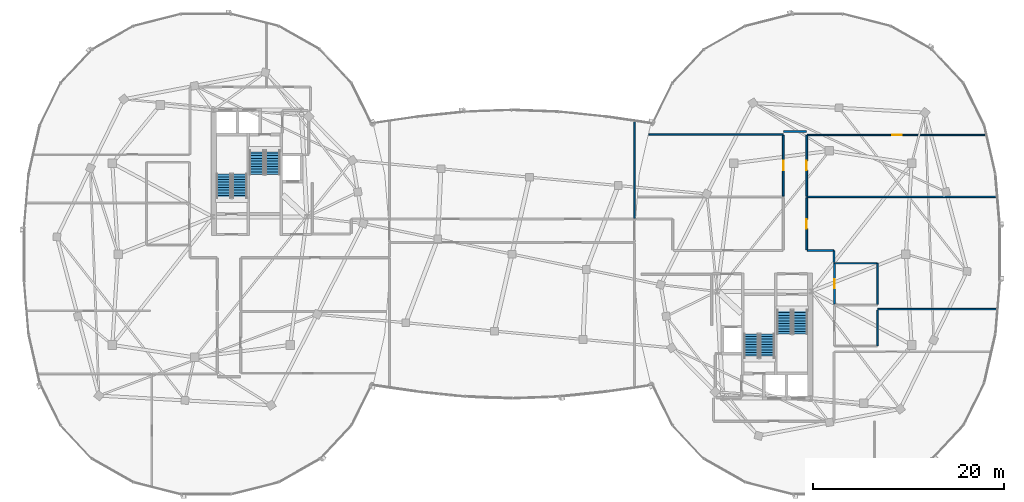
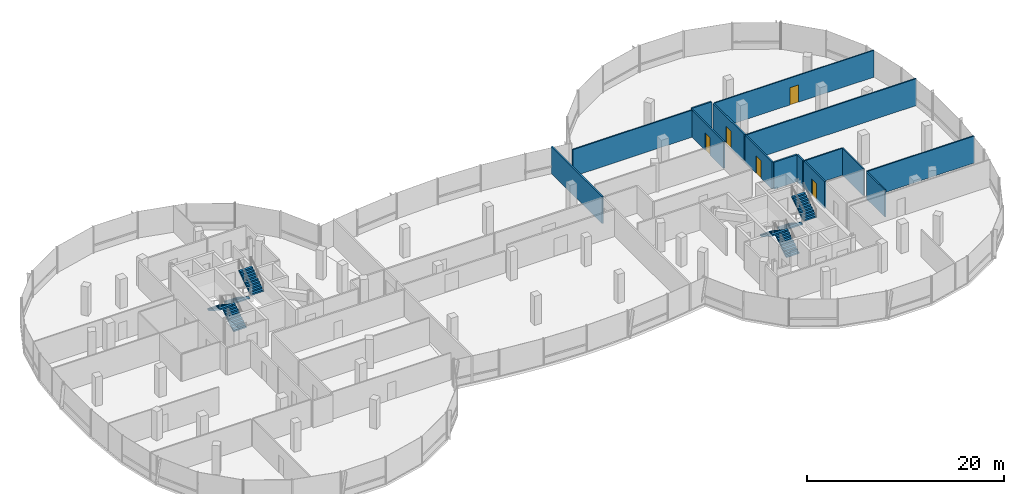
# One storey, part 17 of 25: 15 walls, 8 stair flights, 5 doors, 5 openings, 4 elements without a shape of their own.
"""IFC4 building model written with IfcOpenShell, lengths in metres."""

from ifc_helpers import new_model, si_unit, direction, frame, frame_2d, origin, place, context, subcontext, project, spatial, polyline, rectangle, outline, extrude, material, layer, layer_set, type_object, element, fill, aggregate, save


model = new_model("IFC4")

# Units and contexts
model_context = context("Model", 3, precision=1e-05, world=origin(), true_north=direction((0.0, 1.0)))
body_context = subcontext(model_context, "Body", "Model", "MODEL_VIEW")
ifc_project = project(units=[si_unit("LENGTHUNIT", "METRE"), si_unit("AREAUNIT", "SQUARE_METRE"), si_unit("VOLUMEUNIT", "CUBIC_METRE"), si_unit("PLANEANGLEUNIT", "RADIAN"), si_unit("MASSUNIT", "GRAM", prefix="KILO"), si_unit("THERMODYNAMICTEMPERATUREUNIT", "KELVIN"), si_unit("POWERUNIT", "WATT")], contexts=[model_context])

# Site, building, storey
site_placement = place(None, origin())
site = spatial("IfcSite", under=ifc_project, at=site_placement, CompositionType="ELEMENT")
building_placement = place(site_placement, origin())
building = spatial("IfcBuilding", under=site, at=building_placement, Name="Cundina Bronze Exchange", CompositionType="ELEMENT")
storey_placement = place(building_placement, frame((0.0, 0.0, 250.39990234375)))
storey = spatial("IfcBuildingStorey", under=building, at=storey_placement, Name="L66", CompositionType="ELEMENT", Elevation=250.39990234375)

# Wall, opening, door
ifc_material_1 = material(Name="Gypsum Fireboard Partition EI120")
ifc_layer_1 = layer(ifc_material_1, 0.179931640625, Name="Gypsum Fireboard Partition EI120")
ifc_layer_set_1 = layer_set([ifc_layer_1], Name="Gypsum Fireboard Partition EI120")
wall_type_1 = type_object("IfcWallType", Name="WL-COR-180", PredefinedType="PARTITIONING", material=ifc_layer_set_1)
wall_1_placement = place(storey_placement, frame((33.719970703125, -5.22998046875, 0.0), z_axis=(0.0, 0.0, 1.0), x_axis=(0.0, 1.0, 0.0)))
wall_1 = element("IfcWall", 1, at=wall_1_placement, inside=storey, type_object=wall_type_1, Name="L66 Interior Partition 045", PredefinedType="PARTITIONING", context=body_context, shape_type="SweptSolid", body=[
    extrude(rectangle(XDim=4.260009765625, YDim=0.179931640625, at=frame_2d((2.1298828125, 0.0))), origin(), (0.0, 0.0, 1.0), 3.340087890625),
])
opening_1_placement = place(wall_1_placement, frame((1.655029296875, 0.0, 0.0)))
opening_1 = element("IfcOpeningElement", 2, at=opening_1_placement, cuts=wall_1, Name="Opening DW-01", PredefinedType="OPENING", context=body_context, shape_type="SweptSolid", body=[
    extrude(rectangle(XDim=0.949951171875, YDim=2.10009765625, at=frame_2d((0.47509765625, 1.050048828125))), frame((0.0, 0.099853515625, 0.0), z_axis=(0.0, -1.0, 0.0), x_axis=(1.0, 0.0, 0.0)), (0.0, 0.0, 1.0), 0.199951171875),
])
ifc_material_2 = material(Name="Solid Andean Oak Timber Grade A", Category="wood")
door_type_1 = type_object("IfcDoorType", Name="DR-WC-950", OperationType="NOTDEFINED", PredefinedType="DOOR", material=ifc_material_2)
door_1_placement = place(opening_1_placement, origin())
door_1 = element("IfcDoor", 3, at=door_1_placement, inside=storey, type_object=door_type_1, Name="L66 Interior Door 045", OperationType="SINGLE_SWING_RIGHT", OverallHeight=2.10009765625, OverallWidth=0.949951171875, PredefinedType="DOOR", context=body_context, shape_type="SweptSolid", body=[
    extrude(rectangle(XDim=0.949951171875, YDim=2.10009765625, at=frame_2d((0.47509765625, 1.050048828125))), frame((0.0, 0.02490234375, 0.0), z_axis=(0.0, -1.0, 0.0), x_axis=(1.0, 0.0, 0.0)), (0.0, 0.0, 1.0), 0.050048828125),
])
fill(opening_1, door_1)

wall_2_placement = place(storey_placement, frame((30.820068359375, 0.449951171875, 0.0), z_axis=(0.0, 0.0, 1.0), x_axis=(0.0, 1.0, 0.0)))
wall_2 = element("IfcWall", 4, at=wall_2_placement, inside=storey, type_object=wall_type_1, Name="L66 Interior Partition 056", PredefinedType="PARTITIONING", context=body_context, shape_type="SweptSolid", body=[
    extrude(rectangle(XDim=5.43994140625, YDim=0.179931640625, at=frame_2d((2.719970703125, 0.0))), origin(), (0.0, 0.0, 1.0), 3.340087890625),
])
opening_2_placement = place(wall_2_placement, frame((2.219970703125, 0.0, 0.0)))
opening_2 = element("IfcOpeningElement", 5, at=opening_2_placement, cuts=wall_2, Name="Opening DO-01", PredefinedType="OPENING", context=body_context, shape_type="SweptSolid", body=[
    extrude(rectangle(XDim=1.0, YDim=2.14990234375, at=frame_2d((0.5, 1.074951171875))), frame((0.0, 0.099853515625, 0.0), z_axis=(0.0, -1.0, 0.0), x_axis=(1.0, 0.0, 0.0)), (0.0, 0.0, 1.0), 0.199951171875),
])
door_type_2 = type_object("IfcDoorType", Name="DR-OFF-1000", OperationType="NOTDEFINED", PredefinedType="DOOR", material=ifc_material_2)
door_2_placement = place(opening_2_placement, origin())
door_2 = element("IfcDoor", 6, at=door_2_placement, inside=storey, type_object=door_type_2, Name="L66 Interior Door 056", OperationType="SINGLE_SWING_LEFT", OverallHeight=2.14990234375, OverallWidth=1.0, PredefinedType="DOOR", context=body_context, shape_type="SweptSolid", body=[
    extrude(rectangle(XDim=1.0, YDim=2.14990234375, at=frame_2d((0.5, 1.074951171875))), frame((0.0, 0.02490234375, 0.0), z_axis=(0.0, -1.0, 0.0), x_axis=(1.0, 0.0, 0.0)), (0.0, 0.0, 1.0), 0.050048828125),
])
fill(opening_2, door_2)

# Walls
wall_3_placement = place(storey_placement, frame((33.62841796875, 0.3701171875, 0.0), z_axis=(0.0, 0.0, 1.0), x_axis=(-1.0, 0.0, 0.0)))
element("IfcWall", 7, at=wall_3_placement, inside=storey, type_object=wall_type_1, Name="L66 Interior Partition 057", PredefinedType="PARTITIONING", context=body_context, shape_type="SweptSolid", body=[
    extrude(rectangle(XDim=2.728515625, YDim=0.179931640625, at=frame_2d((1.3642578125, 0.0))), origin(), (0.0, 0.0, 1.0), 3.340087890625),
])
wall_4_placement = place(storey_placement, frame((33.669921875, -0.858642578125, 0.0), z_axis=(0.0, 0.0, 1.0), x_axis=(0.0, 1.0, 0.0)))
element("IfcWall", 8, at=wall_4_placement, inside=storey, type_object=wall_type_1, Name="L66 Interior Partition 058", PredefinedType="PARTITIONING", context=body_context, shape_type="SweptSolid", body=[
    extrude(rectangle(XDim=1.187255859375, YDim=0.179931640625, at=frame_2d((0.59375, 0.0))), origin(), (0.0, 0.0, 1.0), 3.340087890625),
])

# Wall, opening, door
wall_5_placement = place(storey_placement, frame((28.3798828125, 12.429931640625, 0.0), z_axis=(0.0, 0.0, 1.0), x_axis=(0.0, -1.0, 0.0)))
wall_5 = element("IfcWall", 9, at=wall_5_placement, inside=storey, type_object=wall_type_1, Name="L66 Interior Partition 063", PredefinedType="PARTITIONING", context=body_context, shape_type="SweptSolid", body=[
    extrude(rectangle(XDim=6.35986328125, YDim=0.179931640625, at=frame_2d((3.179931640625, 0.0))), origin(), (0.0, 0.0, 1.0), 3.340087890625),
])
opening_3_placement = place(wall_5_placement, frame((2.679931640625, 0.0, 0.0)))
opening_3 = element("IfcOpeningElement", 10, at=opening_3_placement, cuts=wall_5, Name="Opening DO-01", PredefinedType="OPENING", context=body_context, shape_type="SweptSolid", body=[
    extrude(rectangle(XDim=1.0, YDim=2.14990234375, at=frame_2d((0.5, 1.074951171875))), frame((0.0, 0.099853515625, 0.0), z_axis=(0.0, -1.0, 0.0), x_axis=(1.0, 0.0, 0.0)), (0.0, 0.0, 1.0), 0.199951171875),
])
door_3_placement = place(opening_3_placement, origin())
door_3 = element("IfcDoor", 11, at=door_3_placement, inside=storey, type_object=door_type_2, Name="L66 Interior Door 063", OperationType="SINGLE_SWING_RIGHT", OverallHeight=2.14990234375, OverallWidth=1.0, PredefinedType="DOOR", context=body_context, shape_type="SweptSolid", body=[
    extrude(rectangle(XDim=1.0, YDim=2.14990234375, at=frame_2d((0.5, 1.074951171875))), frame((0.0, 0.02490234375, 0.0), z_axis=(0.0, -1.0, 0.0), x_axis=(1.0, 0.0, 0.0)), (0.0, 0.0, 1.0), 0.050048828125),
])
fill(opening_3, door_3)

wall_6_placement = place(storey_placement, frame((30.820068359375, 6.070068359375, 0.0), z_axis=(0.0, 0.0, 1.0), x_axis=(0.0, 1.0, 0.0)))
wall_6 = element("IfcWall", 12, at=wall_6_placement, inside=storey, type_object=wall_type_1, Name="L66 Interior Partition 064", PredefinedType="PARTITIONING", context=body_context, shape_type="SweptSolid", body=[
    extrude(rectangle(XDim=6.35986328125, YDim=0.179931640625, at=frame_2d((3.179931640625, 0.0))), origin(), (0.0, 0.0, 1.0), 3.340087890625),
])
opening_4_placement = place(wall_6_placement, frame((2.679931640625, 0.0, 0.0)))
opening_4 = element("IfcOpeningElement", 13, at=opening_4_placement, cuts=wall_6, Name="Opening DO-01", PredefinedType="OPENING", context=body_context, shape_type="SweptSolid", body=[
    extrude(rectangle(XDim=1.0, YDim=2.14990234375, at=frame_2d((0.5, 1.074951171875))), frame((0.0, 0.099853515625, 0.0), z_axis=(0.0, -1.0, 0.0), x_axis=(1.0, 0.0, 0.0)), (0.0, 0.0, 1.0), 0.199951171875),
])
door_4_placement = place(opening_4_placement, origin())
door_4 = element("IfcDoor", 14, at=door_4_placement, inside=storey, type_object=door_type_2, Name="L66 Interior Door 064", OperationType="SINGLE_SWING_LEFT", OverallHeight=2.14990234375, OverallWidth=1.0, PredefinedType="DOOR", context=body_context, shape_type="SweptSolid", body=[
    extrude(rectangle(XDim=1.0, YDim=2.14990234375, at=frame_2d((0.5, 1.074951171875))), frame((0.0, 0.02490234375, 0.0), z_axis=(0.0, -1.0, 0.0), x_axis=(1.0, 0.0, 0.0)), (0.0, 0.0, 1.0), 0.050048828125),
])
fill(opening_4, door_4)

# Walls
wall_7_placement = place(storey_placement, frame((30.778564453125, 12.820068359375, 0.0), z_axis=(0.0, 0.0, 1.0), x_axis=(-1.0, 0.0, 0.0)))
element("IfcWall", 15, at=wall_7_placement, inside=storey, type_object=wall_type_1, Name="L66 Interior Partition 065", PredefinedType="PARTITIONING", context=body_context, shape_type="SweptSolid", body=[
    extrude(rectangle(XDim=2.357177734375, YDim=0.179931640625, at=frame_2d((1.1787109375, 0.0))), origin(), (0.0, 0.0, 1.0), 3.340087890625),
])
wall_8_placement = place(storey_placement, frame((12.800048828125, 3.739990234375, 0.0), z_axis=(0.0, 0.0, 1.0), x_axis=(0.0, 1.0, 0.0)))
element("IfcWall", 16, at=wall_8_placement, inside=storey, type_object=wall_type_1, Name="L66 Interior Partition 077", PredefinedType="PARTITIONING", context=body_context, shape_type="SweptSolid", body=[
    extrude(rectangle(XDim=10.3037109375, YDim=0.179931640625, at=frame_2d((5.15185546875, 0.0))), origin(), (0.0, 0.0, 1.0), 3.340087890625),
])

# Wall, opening, door
ifc_material_3 = material(Name="Gypsum Acoustic Partition EI60")
ifc_layer_2 = layer(ifc_material_3, 0.125, Name="Gypsum Acoustic Partition EI60")
ifc_layer_set_2 = layer_set([ifc_layer_2], Name="Gypsum Acoustic Partition EI60")
wall_type_2 = type_object("IfcWallType", Name="WL-OFF-125", PredefinedType="PARTITIONING", material=ifc_layer_set_2)
wall_9_placement = place(storey_placement, frame((49.61865234375, 12.469970703125, 0.0), z_axis=(0.0, 0.0, 1.0), x_axis=(-1.0, 0.0, 0.0)))
wall_9 = element("IfcWall", 17, at=wall_9_placement, inside=storey, type_object=wall_type_2, Name="L66 Interior Partition 067", PredefinedType="PARTITIONING", context=body_context, shape_type="SweptSolid", body=[
    extrude(rectangle(XDim=18.71875, YDim=0.125, at=frame_2d((9.359375, 0.0))), origin(), (0.0, 0.0, 1.0), 3.340087890625),
])
opening_5_placement = place(wall_9_placement, frame((8.859375, 0.0, 0.0)))
opening_5 = element("IfcOpeningElement", 18, at=opening_5_placement, cuts=wall_9, Name="Opening DO-01", PredefinedType="OPENING", context=body_context, shape_type="SweptSolid", body=[
    extrude(rectangle(XDim=1.0, YDim=2.14990234375, at=frame_2d((0.5, 1.074951171875))), frame((0.0, 0.072509765625, 0.0), z_axis=(0.0, -1.0, 0.0), x_axis=(1.0, 0.0, 0.0)), (0.0, 0.0, 1.0), 0.14501953125),
])
door_5_placement = place(opening_5_placement, origin())
door_5 = element("IfcDoor", 19, at=door_5_placement, inside=storey, type_object=door_type_2, Name="L66 Interior Door 067", OperationType="SINGLE_SWING_RIGHT", OverallHeight=2.14990234375, OverallWidth=1.0, PredefinedType="DOOR", context=body_context, shape_type="SweptSolid", body=[
    extrude(rectangle(XDim=1.0, YDim=2.14990234375, at=frame_2d((0.5, 1.074951171875))), frame((0.0, 0.02490234375, 0.0), z_axis=(0.0, -1.0, 0.0), x_axis=(1.0, 0.0, 0.0)), (0.0, 0.0, 1.0), 0.050048828125),
])
fill(opening_5, door_5)

# Walls
ifc_layer_3 = layer(ifc_material_3, 0.14990234375, Name="Gypsum Acoustic Partition EI60")
ifc_layer_set_3 = layer_set([ifc_layer_3], Name="Gypsum Acoustic Partition EI60")
wall_type_3 = type_object("IfcWallType", Name="WL-TEN-150", PredefinedType="PARTITIONING", material=ifc_layer_set_3)
wall_10_placement = place(storey_placement, frame((30.85009765625, 5.97998046875, 0.0), z_axis=(0.0, 0.0, 1.0), x_axis=(1.0, 0.0, 0.0)))
element("IfcWall", 20, at=wall_10_placement, inside=storey, type_object=wall_type_3, Name="L66 Interior Partition 048", PredefinedType="PARTITIONING", context=body_context, shape_type="SweptSolid", body=[
    extrude(rectangle(XDim=19.985107421875, YDim=0.14990234375, at=frame_2d((9.99267578125, 0.0))), origin(), (0.0, 0.0, 1.0), 3.340087890625),
])
wall_11_placement = place(storey_placement, frame((14.314208984375, 12.52001953125, 0.0), z_axis=(0.0, 0.0, 1.0), x_axis=(1.0, 0.0, 0.0)))
element("IfcWall", 21, at=wall_11_placement, inside=storey, type_object=wall_type_3, Name="L66 Interior Partition 049", PredefinedType="PARTITIONING", context=body_context, shape_type="SweptSolid", body=[
    extrude(rectangle(XDim=14.035888671875, YDim=0.14990234375, at=frame_2d((7.01806640625, 0.0))), origin(), (0.0, 0.0, 1.0), 3.340087890625),
])
wall_12_placement = place(storey_placement, frame((38.27001953125, -5.760009765625, 0.0), z_axis=(0.0, 0.0, 1.0), x_axis=(1.0, 0.0, 0.0)))
element("IfcWall", 22, at=wall_12_placement, inside=storey, type_object=wall_type_3, Name="L66 Interior Partition 050", PredefinedType="PARTITIONING", context=body_context, shape_type="SweptSolid", body=[
    extrude(rectangle(XDim=12.583740234375, YDim=0.14990234375, at=frame_2d((6.2919921875, 0.0))), origin(), (0.0, 0.0, 1.0), 3.340087890625),
])
ifc_material_4 = material(Name="Moisture-Resistant Masonry Block Grade M15", Category="masonry")
ifc_layer_4 = layer(ifc_material_4, 0.139892578125, Name="Moisture-Resistant Masonry Block Grade M15", Category="masonry")
ifc_layer_set_4 = layer_set([ifc_layer_4], Name="Moisture-Resistant Masonry Block Grade M15")
wall_type_4 = type_object("IfcWallType", Name="WL-WET-140", PredefinedType="PARTITIONING", material=ifc_layer_set_4)
wall_13_placement = place(storey_placement, frame((38.239990234375, -9.590087890625, 0.0), z_axis=(0.0, 0.0, 1.0), x_axis=(0.0, 1.0, 0.0)))
element("IfcWall", 23, at=wall_13_placement, inside=storey, type_object=wall_type_4, Name="L66 Interior Partition 040", PredefinedType="PARTITIONING", context=body_context, shape_type="SweptSolid", body=[
    extrude(rectangle(XDim=3.7451171875, YDim=0.139892578125, at=frame_2d((1.87255859375, 0.0))), origin(), (0.0, 0.0, 1.0), 3.340087890625),
])
wall_14_placement = place(storey_placement, frame((38.239990234375, -5.2451171875, 0.0), z_axis=(0.0, 0.0, 1.0), x_axis=(0.0, 1.0, 0.0)))
element("IfcWall", 24, at=wall_14_placement, inside=storey, type_object=wall_type_4, Name="L66 Interior Partition 041", PredefinedType="PARTITIONING", context=body_context, shape_type="SweptSolid", body=[
    extrude(rectangle(XDim=4.275146484375, YDim=0.139892578125, at=frame_2d((2.1376953125, 0.0))), origin(), (0.0, 0.0, 1.0), 3.340087890625),
])
wall_15_placement = place(storey_placement, frame((33.739990234375, -0.949951171875, 0.0), z_axis=(0.0, 0.0, 1.0), x_axis=(1.0, 0.0, 0.0)))
element("IfcWall", 25, at=wall_15_placement, inside=storey, type_object=wall_type_4, Name="L66 Interior Partition 042", PredefinedType="PARTITIONING", context=body_context, shape_type="SweptSolid", body=[
    extrude(rectangle(XDim=4.47998046875, YDim=0.139892578125, at=frame_2d((2.239990234375, 0.0))), origin(), (0.0, 0.0, 1.0), 3.340087890625),
])

# Stair, stair flights
ifc_material_5 = material(Name="Concrete C40/50", Category="concrete")
stair_type = type_object("IfcStairType", Name="STR-OFF-360", PredefinedType="HALF_TURN_STAIR", material=ifc_material_5)
stair_1_placement = place(storey_placement, origin())
stair_1 = element("IfcStair", 26, at=stair_1_placement, inside=storey, type_object=stair_type, Name="L66 Smokeproof Exit Stair W1", PredefinedType="HALF_TURN_STAIR")
stair_flight_type = type_object("IfcStairFlightType", Name="FLG-OFF-180", PredefinedType="STRAIGHT", material=ifc_material_5)
stair_flight_1_placement = place(storey_placement, frame((-28.489990234375, 5.85009765625, 0.0), z_axis=(0.0, 0.0, 1.0), x_axis=(0.0, 1.0, 0.0)))
stair_flight_1 = element("IfcStairFlight", 27, at=stair_flight_1_placement, type_object=stair_flight_type, Name="ST-W1 flight 1", NumberOfRisers=10, NumberOfTreads=9, PredefinedType="STRAIGHT", RiserHeight=0.18, TreadLength=0.28, context=body_context, shape_type="SweptSolid", body=[
    extrude(outline(polyline([(0.0, 0.0), (0.0, 0.179931640625), (0.280029296875, 0.179931640625), (0.280029296875, 0.360107421875), (0.56005859375, 0.360107421875), (0.56005859375, 0.5400390625), (0.840087890625, 0.5400390625), (0.840087890625, 0.719970703125), (1.1201171875, 0.719970703125), (1.1201171875, 0.89990234375), (1.39990234375, 0.89990234375), (1.39990234375, 1.080078125), (1.679931640625, 1.080078125), (1.679931640625, 1.260009765625), (1.9599609375, 1.260009765625), (1.9599609375, 1.43994140625), (2.239990234375, 1.43994140625), (2.239990234375, 1.6201171875), (2.52001953125, 1.6201171875), (2.52001953125, 1.800048828125), (2.52001953125, 1.44189453125), (0.277099609375, 0.0), (0.0, 0.0)])), frame((0.0, 0.75, 0.0), z_axis=(0.0, -1.0, 0.0), x_axis=(1.0, 0.0, 0.0)), (0.0, 0.0, 1.0), 1.5),
])
stair_flight_2_placement = place(storey_placement, frame((-30.14990234375, 8.3701171875, 1.800048828125), z_axis=(0.0, 0.0, 1.0), x_axis=(0.0, -1.0, 0.0)))
stair_flight_2 = element("IfcStairFlight", 28, at=stair_flight_2_placement, type_object=stair_flight_type, Name="ST-W1 flight 2", NumberOfRisers=10, NumberOfTreads=9, PredefinedType="STRAIGHT", RiserHeight=0.18, TreadLength=0.28, context=body_context, shape_type="SweptSolid", body=[
    extrude(outline(polyline([(0.0, 0.0), (0.0, 0.179931640625), (0.280029296875, 0.179931640625), (0.280029296875, 0.360107421875), (0.56005859375, 0.360107421875), (0.56005859375, 0.5400390625), (0.840087890625, 0.5400390625), (0.840087890625, 0.719970703125), (1.1201171875, 0.719970703125), (1.1201171875, 0.89990234375), (1.39990234375, 0.89990234375), (1.39990234375, 1.080078125), (1.679931640625, 1.080078125), (1.679931640625, 1.260009765625), (1.9599609375, 1.260009765625), (1.9599609375, 1.43994140625), (2.239990234375, 1.43994140625), (2.239990234375, 1.6201171875), (2.52001953125, 1.6201171875), (2.52001953125, 1.800048828125), (2.52001953125, 1.44189453125), (0.277099609375, 0.0), (0.0, 0.0)])), frame((0.0, 0.75, 0.0), z_axis=(0.0, -1.0, 0.0), x_axis=(1.0, 0.0, 0.0)), (0.0, 0.0, 1.0), 1.5),
])
aggregate(stair_1, [stair_flight_1, stair_flight_2])

stair_2_placement = place(storey_placement, origin())
stair_2 = element("IfcStair", 29, at=stair_2_placement, inside=storey, type_object=stair_type, Name="L66 Smokeproof Exit Stair W2", PredefinedType="HALF_TURN_STAIR")
stair_flight_3_placement = place(storey_placement, frame((-26.68994140625, 10.85009765625, 0.0), z_axis=(0.0, 0.0, 1.0), x_axis=(0.0, -1.0, 0.0)))
stair_flight_3 = element("IfcStairFlight", 30, at=stair_flight_3_placement, type_object=stair_flight_type, Name="ST-W2 flight 1", NumberOfRisers=10, NumberOfTreads=9, PredefinedType="STRAIGHT", RiserHeight=0.18, TreadLength=0.28, context=body_context, shape_type="SweptSolid", body=[
    extrude(outline(polyline([(0.0, 0.0), (0.0, 0.179931640625), (0.280029296875, 0.179931640625), (0.280029296875, 0.360107421875), (0.56005859375, 0.360107421875), (0.56005859375, 0.5400390625), (0.840087890625, 0.5400390625), (0.840087890625, 0.719970703125), (1.1201171875, 0.719970703125), (1.1201171875, 0.89990234375), (1.39990234375, 0.89990234375), (1.39990234375, 1.080078125), (1.679931640625, 1.080078125), (1.679931640625, 1.260009765625), (1.9599609375, 1.260009765625), (1.9599609375, 1.43994140625), (2.239990234375, 1.43994140625), (2.239990234375, 1.6201171875), (2.52001953125, 1.6201171875), (2.52001953125, 1.800048828125), (2.52001953125, 1.44189453125), (0.277099609375, 0.0), (0.0, 0.0)])), frame((0.0, 0.75, 0.0), z_axis=(0.0, -1.0, 0.0), x_axis=(1.0, 0.0, 0.0)), (0.0, 0.0, 1.0), 1.5),
])
stair_flight_4_placement = place(storey_placement, frame((-25.030029296875, 8.330078125, 1.800048828125), z_axis=(0.0, 0.0, 1.0), x_axis=(0.0, 1.0, 0.0)))
stair_flight_4 = element("IfcStairFlight", 31, at=stair_flight_4_placement, type_object=stair_flight_type, Name="ST-W2 flight 2", NumberOfRisers=10, NumberOfTreads=9, PredefinedType="STRAIGHT", RiserHeight=0.18, TreadLength=0.28, context=body_context, shape_type="SweptSolid", body=[
    extrude(outline(polyline([(0.0, 0.0), (0.0, 0.179931640625), (0.280029296875, 0.179931640625), (0.280029296875, 0.360107421875), (0.56005859375, 0.360107421875), (0.56005859375, 0.5400390625), (0.840087890625, 0.5400390625), (0.840087890625, 0.719970703125), (1.1201171875, 0.719970703125), (1.1201171875, 0.89990234375), (1.39990234375, 0.89990234375), (1.39990234375, 1.080078125), (1.679931640625, 1.080078125), (1.679931640625, 1.260009765625), (1.9599609375, 1.260009765625), (1.9599609375, 1.43994140625), (2.239990234375, 1.43994140625), (2.239990234375, 1.6201171875), (2.52001953125, 1.6201171875), (2.52001953125, 1.800048828125), (2.52001953125, 1.44189453125), (0.277099609375, 0.0), (0.0, 0.0)])), frame((0.0, 0.75, 0.0), z_axis=(0.0, -1.0, 0.0), x_axis=(1.0, 0.0, 0.0)), (0.0, 0.0, 1.0), 1.5),
])
aggregate(stair_2, [stair_flight_3, stair_flight_4])

stair_3_placement = place(storey_placement, origin())
stair_3 = element("IfcStair", 32, at=stair_3_placement, inside=storey, type_object=stair_type, Name="L66 Smokeproof Exit Stair E1", PredefinedType="HALF_TURN_STAIR")
stair_flight_5_placement = place(storey_placement, frame((28.489990234375, -5.85009765625, 0.0), z_axis=(0.0, 0.0, 1.0), x_axis=(0.0, -1.0, 0.0)))
stair_flight_5 = element("IfcStairFlight", 33, at=stair_flight_5_placement, type_object=stair_flight_type, Name="ST-E1 flight 1", NumberOfRisers=10, NumberOfTreads=9, PredefinedType="STRAIGHT", RiserHeight=0.18, TreadLength=0.28, context=body_context, shape_type="SweptSolid", body=[
    extrude(outline(polyline([(0.0, 0.0), (0.0, 0.179931640625), (0.280029296875, 0.179931640625), (0.280029296875, 0.360107421875), (0.56005859375, 0.360107421875), (0.56005859375, 0.5400390625), (0.840087890625, 0.5400390625), (0.840087890625, 0.719970703125), (1.1201171875, 0.719970703125), (1.1201171875, 0.89990234375), (1.39990234375, 0.89990234375), (1.39990234375, 1.080078125), (1.679931640625, 1.080078125), (1.679931640625, 1.260009765625), (1.9599609375, 1.260009765625), (1.9599609375, 1.43994140625), (2.239990234375, 1.43994140625), (2.239990234375, 1.6201171875), (2.52001953125, 1.6201171875), (2.52001953125, 1.800048828125), (2.52001953125, 1.44189453125), (0.277099609375, 0.0), (0.0, 0.0)])), frame((0.0, 0.75, 0.0), z_axis=(0.0, -1.0, 0.0), x_axis=(1.0, 0.0, 0.0)), (0.0, 0.0, 1.0), 1.5),
])
stair_flight_6_placement = place(storey_placement, frame((30.14990234375, -8.3701171875, 1.800048828125), z_axis=(0.0, 0.0, 1.0), x_axis=(0.0, 1.0, 0.0)))
stair_flight_6 = element("IfcStairFlight", 34, at=stair_flight_6_placement, type_object=stair_flight_type, Name="ST-E1 flight 2", NumberOfRisers=10, NumberOfTreads=9, PredefinedType="STRAIGHT", RiserHeight=0.18, TreadLength=0.28, context=body_context, shape_type="SweptSolid", body=[
    extrude(outline(polyline([(0.0, 0.0), (0.0, 0.179931640625), (0.280029296875, 0.179931640625), (0.280029296875, 0.360107421875), (0.56005859375, 0.360107421875), (0.56005859375, 0.5400390625), (0.840087890625, 0.5400390625), (0.840087890625, 0.719970703125), (1.1201171875, 0.719970703125), (1.1201171875, 0.89990234375), (1.39990234375, 0.89990234375), (1.39990234375, 1.080078125), (1.679931640625, 1.080078125), (1.679931640625, 1.260009765625), (1.9599609375, 1.260009765625), (1.9599609375, 1.43994140625), (2.239990234375, 1.43994140625), (2.239990234375, 1.6201171875), (2.52001953125, 1.6201171875), (2.52001953125, 1.800048828125), (2.52001953125, 1.44189453125), (0.277099609375, 0.0), (0.0, 0.0)])), frame((0.0, 0.75, 0.0), z_axis=(0.0, -1.0, 0.0), x_axis=(1.0, 0.0, 0.0)), (0.0, 0.0, 1.0), 1.5),
])
aggregate(stair_3, [stair_flight_5, stair_flight_6])

stair_4_placement = place(storey_placement, origin())
stair_4 = element("IfcStair", 35, at=stair_4_placement, inside=storey, type_object=stair_type, Name="L66 Smokeproof Exit Stair E2", PredefinedType="HALF_TURN_STAIR")
stair_flight_7_placement = place(storey_placement, frame((26.68994140625, -10.85009765625, 0.0), z_axis=(0.0, 0.0, 1.0), x_axis=(0.0, 1.0, 0.0)))
stair_flight_7 = element("IfcStairFlight", 36, at=stair_flight_7_placement, type_object=stair_flight_type, Name="ST-E2 flight 1", NumberOfRisers=10, NumberOfTreads=9, PredefinedType="STRAIGHT", RiserHeight=0.18, TreadLength=0.28, context=body_context, shape_type="SweptSolid", body=[
    extrude(outline(polyline([(0.0, 0.0), (0.0, 0.179931640625), (0.280029296875, 0.179931640625), (0.280029296875, 0.360107421875), (0.56005859375, 0.360107421875), (0.56005859375, 0.5400390625), (0.840087890625, 0.5400390625), (0.840087890625, 0.719970703125), (1.1201171875, 0.719970703125), (1.1201171875, 0.89990234375), (1.39990234375, 0.89990234375), (1.39990234375, 1.080078125), (1.679931640625, 1.080078125), (1.679931640625, 1.260009765625), (1.9599609375, 1.260009765625), (1.9599609375, 1.43994140625), (2.239990234375, 1.43994140625), (2.239990234375, 1.6201171875), (2.52001953125, 1.6201171875), (2.52001953125, 1.800048828125), (2.52001953125, 1.44189453125), (0.277099609375, 0.0), (0.0, 0.0)])), frame((0.0, 0.75, 0.0), z_axis=(0.0, -1.0, 0.0), x_axis=(1.0, 0.0, 0.0)), (0.0, 0.0, 1.0), 1.5),
])
stair_flight_8_placement = place(storey_placement, frame((25.030029296875, -8.330078125, 1.800048828125), z_axis=(0.0, 0.0, 1.0), x_axis=(0.0, -1.0, 0.0)))
stair_flight_8 = element("IfcStairFlight", 37, at=stair_flight_8_placement, type_object=stair_flight_type, Name="ST-E2 flight 2", NumberOfRisers=10, NumberOfTreads=9, PredefinedType="STRAIGHT", RiserHeight=0.18, TreadLength=0.28, context=body_context, shape_type="SweptSolid", body=[
    extrude(outline(polyline([(0.0, 0.0), (0.0, 0.179931640625), (0.280029296875, 0.179931640625), (0.280029296875, 0.360107421875), (0.56005859375, 0.360107421875), (0.56005859375, 0.5400390625), (0.840087890625, 0.5400390625), (0.840087890625, 0.719970703125), (1.1201171875, 0.719970703125), (1.1201171875, 0.89990234375), (1.39990234375, 0.89990234375), (1.39990234375, 1.080078125), (1.679931640625, 1.080078125), (1.679931640625, 1.260009765625), (1.9599609375, 1.260009765625), (1.9599609375, 1.43994140625), (2.239990234375, 1.43994140625), (2.239990234375, 1.6201171875), (2.52001953125, 1.6201171875), (2.52001953125, 1.800048828125), (2.52001953125, 1.44189453125), (0.277099609375, 0.0), (0.0, 0.0)])), frame((0.0, 0.75, 0.0), z_axis=(0.0, -1.0, 0.0), x_axis=(1.0, 0.0, 0.0)), (0.0, 0.0, 1.0), 1.5),
])
aggregate(stair_4, [stair_flight_7, stair_flight_8])

save(model, "model.ifc")
